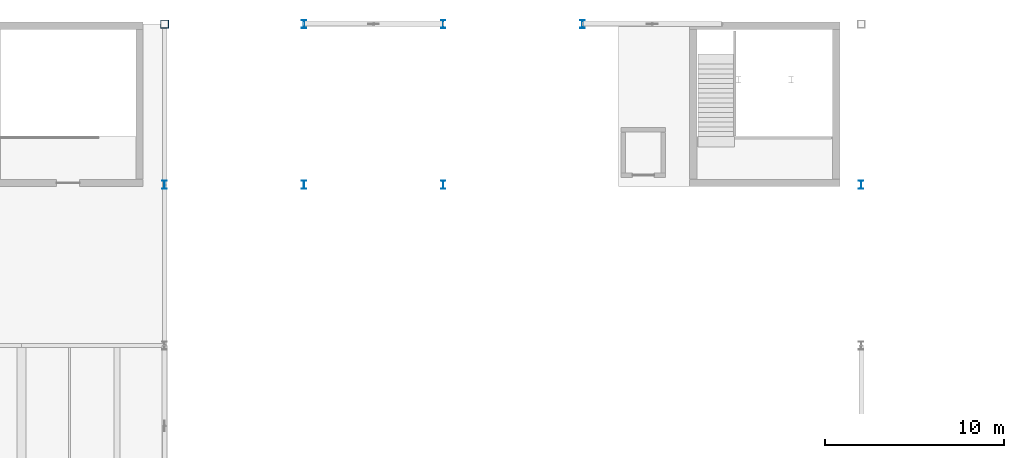
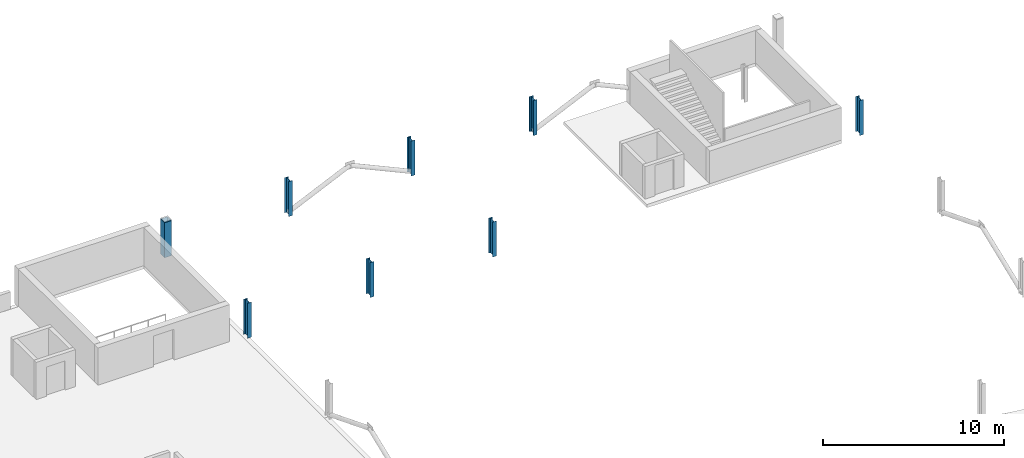
# One storey, part 3 of 12: 8 columns.
"""IFC4 building model written with IfcOpenShell, lengths in metres."""

from ifc_helpers import new_model, si_unit, derived_unit, direction, frame, origin, origin_2d, place, context, subcontext, project, spatial, hollow_rectangle, i_section, extrude, material, material_profile, profile_set, type_object, element, save


model = new_model("IFC4")

# Units and contexts
model_context = context("Model", 3, precision=1e-05, world=origin(), true_north=direction((0.0, 1.0)))
body_context = subcontext(model_context, "Body", "Model", "MODEL_VIEW")
ifc_project = project(units=[si_unit("LENGTHUNIT", "METRE"), si_unit("AREAUNIT", "SQUARE_METRE"), si_unit("VOLUMEUNIT", "CUBIC_METRE"), si_unit("PLANEANGLEUNIT", "RADIAN"), si_unit("MASSUNIT", "GRAM", prefix="KILO"), derived_unit("THERMALTRANSMITTANCEUNIT", [(si_unit("POWERUNIT", "WATT"), 1), (si_unit("LENGTHUNIT", "METRE"), -2), (si_unit("THERMODYNAMICTEMPERATUREUNIT", "KELVIN"), -1)])], contexts=[model_context])

# Site, building, storey
site_placement = place(None, origin())
site = spatial("IfcSite", under=ifc_project, at=site_placement, CompositionType="ELEMENT")
building_placement = place(site_placement, origin())
building = spatial("IfcBuilding", under=site, at=building_placement, Name="Nallur Shell Playhouse", CompositionType="ELEMENT")
storey_placement = place(building_placement, frame((0.0, 0.0, 28.800048828125)))
storey = spatial("IfcBuildingStorey", under=building, at=storey_placement, Name="RF1", CompositionType="ELEMENT", Elevation=28.800048828125)

# Columns
ifc_material = material(Name="Steel E350", Category="steel")
ifc_material_profile_1 = material_profile(ifc_material, hollow_rectangle(XDim=0.449951171875, YDim=0.449951171875, WallThickness=0.02001953125, at=origin_2d()), Name="BOX 450x450x20")
ifc_profile_set_1 = profile_set([ifc_material_profile_1], Name="Steel E350")
column_type_1 = type_object("IfcColumnType", Name="CL-ST-BOX450", PredefinedType="COLUMN", material=ifc_profile_set_1)
column_placement = place(storey_placement, frame((64.0, 83.0, 0.0), z_axis=(0.0, 0.0, 1.0), x_axis=(1.0, 0.0, 0.0)))
element("IfcColumn", 1, at=column_placement, inside=storey, type_object=column_type_1, Name="Column 8-K (RF1)", PredefinedType="COLUMN", context=body_context, shape_type="SweptSolid", body=[
    extrude(hollow_rectangle(XDim=0.449951171875, YDim=0.449951171875, WallThickness=0.02001953125, at=origin_2d()), origin(), (0.0, 0.0, 1.0), 2.35986328125),
])
ifc_material_profile_2 = material_profile(ifc_material, i_section(OverallWidth=0.25, OverallDepth=0.449951171875, WebThickness=0.01123046875, FlangeThickness=0.013671875, FilletRadius=0.014892578125, at=origin_2d()), Name="ISHB 450")
ifc_profile_set_2 = profile_set([ifc_material_profile_2], Name="Steel E350")
column_type_2 = type_object("IfcColumnType", Name="CL-ST-ISHB450", PredefinedType="COLUMN", material=ifc_profile_set_2)
for number, where, z_axis, x_axis, name in (
    (2, (64.0, 74.0, 0.0), (0.0, 0.0, 1.0), (1.0, 0.0, 0.0), "Column 8-J (RF1)"),
    (3, (71.800048828125, 74.0, 0.0), (0.0, 0.0, 1.0), (1.0, 0.0, 0.0), "Column 9-J (RF1)"),
    (4, (71.800048828125, 83.0, 0.0), (0.0, 0.0, 1.0), (1.0, 0.0, 0.0), "Column 9-K (RF1)"),
    (5, (79.60009765625, 74.0, 0.0), (0.0, 0.0, 1.0), (1.0, 0.0, 0.0), "Column 10-J (RF1)"),
    (6, (79.60009765625, 83.0, 0.0), (0.0, 0.0, 1.0), (1.0, 0.0, 0.0), "Column 10-K (RF1)"),
    (7, (87.39990234375, 83.0, 0.0), (0.0, 0.0, 1.0), (1.0, 0.0, 0.0), "Column 11-K (RF1)"),
    (8, (103.0, 74.0, 0.0), (0.0, 0.0, 1.0), (1.0, 0.0, 0.0), "Column 13-J (RF1)"),
):
    element("IfcColumn", number, at=place(storey_placement, frame(where, z_axis=z_axis, x_axis=x_axis)), inside=storey, type_object=column_type_2, Name=name, PredefinedType="COLUMN", context=body_context, shape_type="SweptSolid", body=[
        extrude(i_section(OverallWidth=0.25, OverallDepth=0.449951171875, WebThickness=0.01123046875, FlangeThickness=0.013671875, FilletRadius=0.014892578125, at=origin_2d()), origin(), (0.0, 0.0, 1.0), 2.35986328125),
    ])

save(model, "model.ifc")
